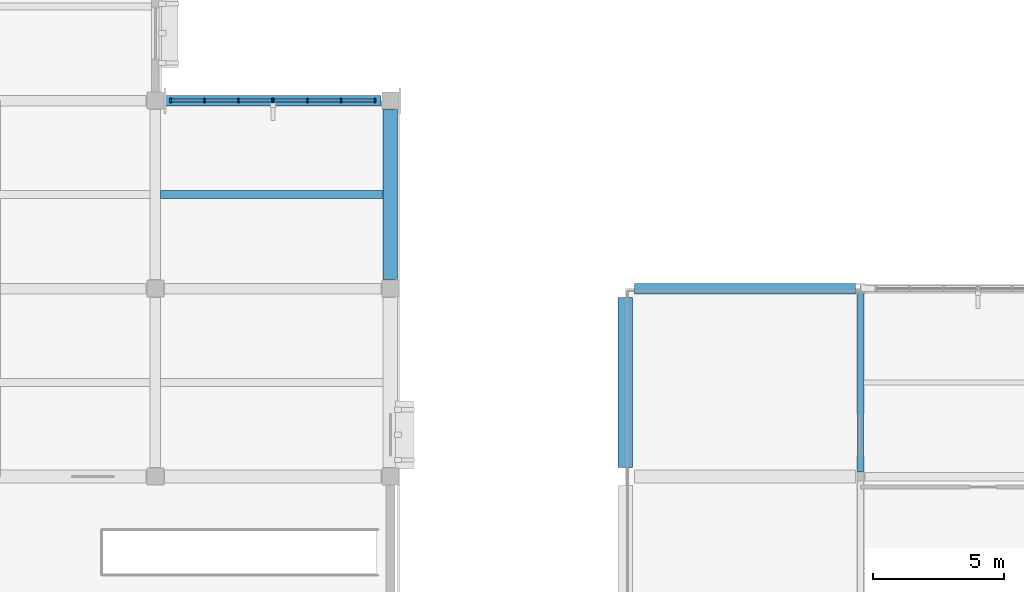
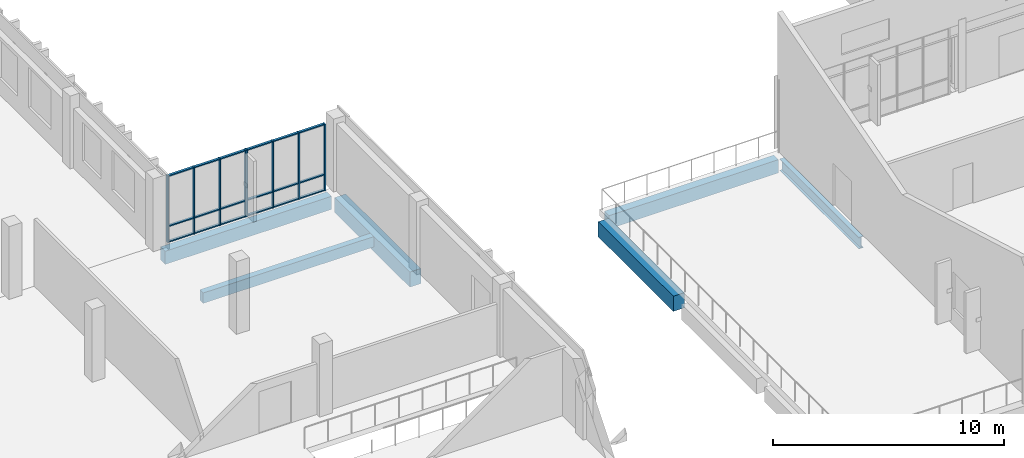
# One storey, part 15 of 85: 26 members, 6 beams, 2 elements without a shape of their own.
"""IFC4 building model written with IfcOpenShell, lengths in metres."""

from ifc_helpers import new_model, si_unit, direction, frame, origin, origin_2d, place, context, subcontext, project, spatial, rectangle, i_section, extrude, material, material_profile, profile_set, type_object, element, aggregate, save


model = new_model("IFC4")

# Units and contexts
model_context = context("Model", 3, precision=1e-05, world=origin(), true_north=direction((0.0, 1.0)))
body_context = subcontext(model_context, "Body", "Model", "MODEL_VIEW")
ifc_project = project(units=[si_unit("LENGTHUNIT", "METRE"), si_unit("AREAUNIT", "SQUARE_METRE"), si_unit("VOLUMEUNIT", "CUBIC_METRE"), si_unit("PLANEANGLEUNIT", "RADIAN"), si_unit("MASSUNIT", "GRAM", prefix="KILO")], contexts=[model_context])

# Site, building, storey
site_placement = place(None, origin())
site = spatial("IfcSite", under=ifc_project, at=site_placement, CompositionType="ELEMENT")
building_placement = place(site_placement, origin())
building = spatial("IfcBuilding", under=site, at=building_placement, Name="Vervanel Yard Central Library", CompositionType="ELEMENT")
storey_placement = place(building_placement, frame((0.0, 0.0, 5.10009765625)))
storey = spatial("IfcBuildingStorey", under=building, at=storey_placement, Name="L01", CompositionType="ELEMENT", Elevation=5.10009765625)

# Curtain wall, members
ifc_material_1 = material(Name="Thermally broken anodized aluminium 6063-T6", Category="aluminium")
curtain_wall_type = type_object("IfcCurtainWallType", Name="Boulevard Cafe & Bridge Curtain Wall", PredefinedType="NOTDEFINED", material=ifc_material_1)
curtain_wall_1_placement = place(storey_placement, origin())
curtain_wall_1 = element("IfcCurtainWall", 1, at=curtain_wall_1_placement, inside=storey, type_object=curtain_wall_type, Name="L01 Boulevard Cafe & Bridge Curtain Wall CWR-L01-197", PredefinedType="NOTDEFINED")
ifc_material_profile_1 = material_profile(ifc_material_1, rectangle(XDim=0.06005859375, YDim=0.159912109375, at=origin_2d()), Name="ALU 60x160", Category="aluminium")
ifc_profile_set_1 = profile_set([ifc_material_profile_1], Name="Thermally broken anodized aluminium 6063-T6")
member_type_1 = type_object("IfcMemberType", Name="Bridge & Courtyard Mullion 60x160", PredefinedType="MULLION", material=ifc_profile_set_1)
member_1_placement = place(storey_placement, frame((36.590087890625, 28.800048828125, 0.0), z_axis=(0.0, 0.0, 1.0), x_axis=(1.0, 0.0, 0.0)))
member_1 = element("IfcMember", 2, at=member_1_placement, type_object=member_type_1, Name="CWR-L01-197 Mullion 1", PredefinedType="MULLION", context=body_context, shape_type="SweptSolid", body=[
    extrude(rectangle(XDim=0.06005859375, YDim=0.159912109375, at=origin_2d()), origin(), (0.0, 0.0, 1.0), 3.52978515625),
])
member_2_placement = place(storey_placement, frame((37.88330078125, 28.800048828125, 0.0), z_axis=(0.0, 0.0, 1.0), x_axis=(1.0, 0.0, 0.0)))
member_2 = element("IfcMember", 3, at=member_2_placement, type_object=member_type_1, Name="CWR-L01-197 Mullion 2", PredefinedType="MULLION", context=body_context, shape_type="SweptSolid", body=[
    extrude(rectangle(XDim=0.06005859375, YDim=0.159912109375, at=origin_2d()), origin(), (0.0, 0.0, 1.0), 3.52978515625),
])
member_3_placement = place(storey_placement, frame((39.1767578125, 28.800048828125, 0.0), z_axis=(0.0, 0.0, 1.0), x_axis=(1.0, 0.0, 0.0)))
member_3 = element("IfcMember", 4, at=member_3_placement, type_object=member_type_1, Name="CWR-L01-197 Mullion 3", PredefinedType="MULLION", context=body_context, shape_type="SweptSolid", body=[
    extrude(rectangle(XDim=0.06005859375, YDim=0.159912109375, at=origin_2d()), origin(), (0.0, 0.0, 1.0), 3.52978515625),
])
member_4_placement = place(storey_placement, frame((40.469970703125, 28.800048828125, 0.0), z_axis=(0.0, 0.0, 1.0), x_axis=(1.0, 0.0, 0.0)))
member_4 = element("IfcMember", 5, at=member_4_placement, type_object=member_type_1, Name="CWR-L01-197 Mullion 4", PredefinedType="MULLION", context=body_context, shape_type="SweptSolid", body=[
    extrude(rectangle(XDim=0.06005859375, YDim=0.159912109375, at=origin_2d()), origin(), (0.0, 0.0, 1.0), 3.52978515625),
])

curtain_wall_2_placement = place(storey_placement, origin())
curtain_wall_2 = element("IfcCurtainWall", 6, at=curtain_wall_2_placement, inside=storey, type_object=curtain_wall_type, Name="L01 Boulevard Cafe & Bridge Curtain Wall CWR-L01-198", PredefinedType="NOTDEFINED")
member_5_placement = place(storey_placement, frame((40.530029296875, 28.800048828125, 0.0), z_axis=(0.0, 0.0, 1.0), x_axis=(1.0, 0.0, 0.0)))
member_5 = element("IfcMember", 7, at=member_5_placement, type_object=member_type_1, Name="CWR-L01-198 Mullion 1", PredefinedType="MULLION", context=body_context, shape_type="SweptSolid", body=[
    extrude(rectangle(XDim=0.06005859375, YDim=0.159912109375, at=origin_2d()), origin(), (0.0, 0.0, 1.0), 3.52978515625),
])
member_6_placement = place(storey_placement, frame((41.8232421875, 28.800048828125, 0.0), z_axis=(0.0, 0.0, 1.0), x_axis=(1.0, 0.0, 0.0)))
member_6 = element("IfcMember", 8, at=member_6_placement, type_object=member_type_1, Name="CWR-L01-198 Mullion 2", PredefinedType="MULLION", context=body_context, shape_type="SweptSolid", body=[
    extrude(rectangle(XDim=0.06005859375, YDim=0.159912109375, at=origin_2d()), origin(), (0.0, 0.0, 1.0), 3.52978515625),
])
member_7_placement = place(storey_placement, frame((43.11669921875, 28.800048828125, 0.0), z_axis=(0.0, 0.0, 1.0), x_axis=(1.0, 0.0, 0.0)))
member_7 = element("IfcMember", 9, at=member_7_placement, type_object=member_type_1, Name="CWR-L01-198 Mullion 3", PredefinedType="MULLION", context=body_context, shape_type="SweptSolid", body=[
    extrude(rectangle(XDim=0.06005859375, YDim=0.159912109375, at=origin_2d()), origin(), (0.0, 0.0, 1.0), 3.52978515625),
])
member_8_placement = place(storey_placement, frame((44.409912109375, 28.800048828125, 0.0), z_axis=(0.0, 0.0, 1.0), x_axis=(1.0, 0.0, 0.0)))
member_8 = element("IfcMember", 10, at=member_8_placement, type_object=member_type_1, Name="CWR-L01-198 Mullion 4", PredefinedType="MULLION", context=body_context, shape_type="SweptSolid", body=[
    extrude(rectangle(XDim=0.06005859375, YDim=0.159912109375, at=origin_2d()), origin(), (0.0, 0.0, 1.0), 3.52978515625),
])

# Member
ifc_material_profile_2 = material_profile(ifc_material_1, rectangle(XDim=0.06005859375, YDim=0.1201171875, at=origin_2d()), Name="ALU 60x120", Category="aluminium")
ifc_profile_set_2 = profile_set([ifc_material_profile_2], Name="Thermally broken anodized aluminium 6063-T6")
member_type_2 = type_object("IfcMemberType", Name="Bridge & Courtyard Transom 60x120", PredefinedType="NOTDEFINED", material=ifc_profile_set_2)
member_9_placement = place(storey_placement, frame((36.6201171875, 28.800048828125, 0.02978515625), z_axis=(1.0, 0.0, 0.0), x_axis=(0.0, 0.0, 1.0)))
member_9 = element("IfcMember", 11, at=member_9_placement, type_object=member_type_2, Name="CWR-L01-197 Transom B1-T1", ObjectType="TRANSOM", PredefinedType="USERDEFINED", context=body_context, shape_type="SweptSolid", body=[
    extrude(rectangle(XDim=0.06005859375, YDim=0.1201171875, at=origin_2d()), origin(), (0.0, 0.0, 1.0), 1.233154296875),
])

member_10_placement = place(storey_placement, frame((36.6201171875, 28.800048828125, 0.849853515625), z_axis=(1.0, 0.0, 0.0), x_axis=(0.0, 0.0, 1.0)))
member_10 = element("IfcMember", 12, at=member_10_placement, type_object=member_type_2, Name="CWR-L01-197 Transom B1-T2", ObjectType="TRANSOM", PredefinedType="USERDEFINED", context=body_context, shape_type="SweptSolid", body=[
    extrude(rectangle(XDim=0.06005859375, YDim=0.1201171875, at=origin_2d()), origin(), (0.0, 0.0, 1.0), 1.233154296875),
])

member_11_placement = place(storey_placement, frame((36.6201171875, 28.800048828125, 3.5), z_axis=(1.0, 0.0, 0.0), x_axis=(0.0, 0.0, 1.0)))
member_11 = element("IfcMember", 13, at=member_11_placement, type_object=member_type_2, Name="CWR-L01-197 Transom B1-T3", ObjectType="TRANSOM", PredefinedType="USERDEFINED", context=body_context, shape_type="SweptSolid", body=[
    extrude(rectangle(XDim=0.06005859375, YDim=0.1201171875, at=origin_2d()), origin(), (0.0, 0.0, 1.0), 1.233154296875),
])

member_12_placement = place(storey_placement, frame((37.913330078125, 28.800048828125, 0.02978515625), z_axis=(1.0, 0.0, 0.0), x_axis=(0.0, 0.0, 1.0)))
member_12 = element("IfcMember", 14, at=member_12_placement, type_object=member_type_2, Name="CWR-L01-197 Transom B2-T1", ObjectType="TRANSOM", PredefinedType="USERDEFINED", context=body_context, shape_type="SweptSolid", body=[
    extrude(rectangle(XDim=0.06005859375, YDim=0.1201171875, at=origin_2d()), origin(), (0.0, 0.0, 1.0), 1.2333984375),
])

member_13_placement = place(storey_placement, frame((37.913330078125, 28.800048828125, 0.849853515625), z_axis=(1.0, 0.0, 0.0), x_axis=(0.0, 0.0, 1.0)))
member_13 = element("IfcMember", 15, at=member_13_placement, type_object=member_type_2, Name="CWR-L01-197 Transom B2-T2", ObjectType="TRANSOM", PredefinedType="USERDEFINED", context=body_context, shape_type="SweptSolid", body=[
    extrude(rectangle(XDim=0.06005859375, YDim=0.1201171875, at=origin_2d()), origin(), (0.0, 0.0, 1.0), 1.2333984375),
])

member_14_placement = place(storey_placement, frame((37.913330078125, 28.800048828125, 3.5), z_axis=(1.0, 0.0, 0.0), x_axis=(0.0, 0.0, 1.0)))
member_14 = element("IfcMember", 16, at=member_14_placement, type_object=member_type_2, Name="CWR-L01-197 Transom B2-T3", ObjectType="TRANSOM", PredefinedType="USERDEFINED", context=body_context, shape_type="SweptSolid", body=[
    extrude(rectangle(XDim=0.06005859375, YDim=0.1201171875, at=origin_2d()), origin(), (0.0, 0.0, 1.0), 1.2333984375),
])

member_15_placement = place(storey_placement, frame((39.206787109375, 28.800048828125, 0.02978515625), z_axis=(1.0, 0.0, 0.0), x_axis=(0.0, 0.0, 1.0)))
member_15 = element("IfcMember", 17, at=member_15_placement, type_object=member_type_2, Name="CWR-L01-197 Transom B3-T1", ObjectType="TRANSOM", PredefinedType="USERDEFINED", context=body_context, shape_type="SweptSolid", body=[
    extrude(rectangle(XDim=0.06005859375, YDim=0.1201171875, at=origin_2d()), origin(), (0.0, 0.0, 1.0), 1.233154296875),
])

member_16_placement = place(storey_placement, frame((39.206787109375, 28.800048828125, 0.849853515625), z_axis=(1.0, 0.0, 0.0), x_axis=(0.0, 0.0, 1.0)))
member_16 = element("IfcMember", 18, at=member_16_placement, type_object=member_type_2, Name="CWR-L01-197 Transom B3-T2", ObjectType="TRANSOM", PredefinedType="USERDEFINED", context=body_context, shape_type="SweptSolid", body=[
    extrude(rectangle(XDim=0.06005859375, YDim=0.1201171875, at=origin_2d()), origin(), (0.0, 0.0, 1.0), 1.233154296875),
])

member_17_placement = place(storey_placement, frame((39.206787109375, 28.800048828125, 3.5), z_axis=(1.0, 0.0, 0.0), x_axis=(0.0, 0.0, 1.0)))
member_17 = element("IfcMember", 19, at=member_17_placement, type_object=member_type_2, Name="CWR-L01-197 Transom B3-T3", ObjectType="TRANSOM", PredefinedType="USERDEFINED", context=body_context, shape_type="SweptSolid", body=[
    extrude(rectangle(XDim=0.06005859375, YDim=0.1201171875, at=origin_2d()), origin(), (0.0, 0.0, 1.0), 1.233154296875),
])

aggregate(curtain_wall_1, [member_1, member_2, member_3, member_4, member_9, member_10, member_11, member_12, member_13, member_14, member_15, member_16, member_17])

member_18_placement = place(storey_placement, frame((40.56005859375, 28.800048828125, 0.02978515625), z_axis=(1.0, 0.0, 0.0), x_axis=(0.0, 0.0, 1.0)))
member_18 = element("IfcMember", 20, at=member_18_placement, type_object=member_type_2, Name="CWR-L01-198 Transom B1-T1", ObjectType="TRANSOM", PredefinedType="USERDEFINED", context=body_context, shape_type="SweptSolid", body=[
    extrude(rectangle(XDim=0.06005859375, YDim=0.1201171875, at=origin_2d()), origin(), (0.0, 0.0, 1.0), 1.233154296875),
])

member_19_placement = place(storey_placement, frame((40.56005859375, 28.800048828125, 0.849853515625), z_axis=(1.0, 0.0, 0.0), x_axis=(0.0, 0.0, 1.0)))
member_19 = element("IfcMember", 21, at=member_19_placement, type_object=member_type_2, Name="CWR-L01-198 Transom B1-T2", ObjectType="TRANSOM", PredefinedType="USERDEFINED", context=body_context, shape_type="SweptSolid", body=[
    extrude(rectangle(XDim=0.06005859375, YDim=0.1201171875, at=origin_2d()), origin(), (0.0, 0.0, 1.0), 1.233154296875),
])

member_20_placement = place(storey_placement, frame((40.56005859375, 28.800048828125, 3.5), z_axis=(1.0, 0.0, 0.0), x_axis=(0.0, 0.0, 1.0)))
member_20 = element("IfcMember", 22, at=member_20_placement, type_object=member_type_2, Name="CWR-L01-198 Transom B1-T3", ObjectType="TRANSOM", PredefinedType="USERDEFINED", context=body_context, shape_type="SweptSolid", body=[
    extrude(rectangle(XDim=0.06005859375, YDim=0.1201171875, at=origin_2d()), origin(), (0.0, 0.0, 1.0), 1.233154296875),
])

member_21_placement = place(storey_placement, frame((41.853271484375, 28.800048828125, 0.02978515625), z_axis=(1.0, 0.0, 0.0), x_axis=(0.0, 0.0, 1.0)))
member_21 = element("IfcMember", 23, at=member_21_placement, type_object=member_type_2, Name="CWR-L01-198 Transom B2-T1", ObjectType="TRANSOM", PredefinedType="USERDEFINED", context=body_context, shape_type="SweptSolid", body=[
    extrude(rectangle(XDim=0.06005859375, YDim=0.1201171875, at=origin_2d()), origin(), (0.0, 0.0, 1.0), 1.2333984375),
])

member_22_placement = place(storey_placement, frame((41.853271484375, 28.800048828125, 0.849853515625), z_axis=(1.0, 0.0, 0.0), x_axis=(0.0, 0.0, 1.0)))
member_22 = element("IfcMember", 24, at=member_22_placement, type_object=member_type_2, Name="CWR-L01-198 Transom B2-T2", ObjectType="TRANSOM", PredefinedType="USERDEFINED", context=body_context, shape_type="SweptSolid", body=[
    extrude(rectangle(XDim=0.06005859375, YDim=0.1201171875, at=origin_2d()), origin(), (0.0, 0.0, 1.0), 1.2333984375),
])

member_23_placement = place(storey_placement, frame((41.853271484375, 28.800048828125, 3.5), z_axis=(1.0, 0.0, 0.0), x_axis=(0.0, 0.0, 1.0)))
member_23 = element("IfcMember", 25, at=member_23_placement, type_object=member_type_2, Name="CWR-L01-198 Transom B2-T3", ObjectType="TRANSOM", PredefinedType="USERDEFINED", context=body_context, shape_type="SweptSolid", body=[
    extrude(rectangle(XDim=0.06005859375, YDim=0.1201171875, at=origin_2d()), origin(), (0.0, 0.0, 1.0), 1.2333984375),
])

member_24_placement = place(storey_placement, frame((43.146728515625, 28.800048828125, 0.02978515625), z_axis=(1.0, 0.0, 0.0), x_axis=(0.0, 0.0, 1.0)))
member_24 = element("IfcMember", 26, at=member_24_placement, type_object=member_type_2, Name="CWR-L01-198 Transom B3-T1", ObjectType="TRANSOM", PredefinedType="USERDEFINED", context=body_context, shape_type="SweptSolid", body=[
    extrude(rectangle(XDim=0.06005859375, YDim=0.1201171875, at=origin_2d()), origin(), (0.0, 0.0, 1.0), 1.233154296875),
])

member_25_placement = place(storey_placement, frame((43.146728515625, 28.800048828125, 0.849853515625), z_axis=(1.0, 0.0, 0.0), x_axis=(0.0, 0.0, 1.0)))
member_25 = element("IfcMember", 27, at=member_25_placement, type_object=member_type_2, Name="CWR-L01-198 Transom B3-T2", ObjectType="TRANSOM", PredefinedType="USERDEFINED", context=body_context, shape_type="SweptSolid", body=[
    extrude(rectangle(XDim=0.06005859375, YDim=0.1201171875, at=origin_2d()), origin(), (0.0, 0.0, 1.0), 1.233154296875),
])

member_26_placement = place(storey_placement, frame((43.146728515625, 28.800048828125, 3.5), z_axis=(1.0, 0.0, 0.0), x_axis=(0.0, 0.0, 1.0)))
member_26 = element("IfcMember", 28, at=member_26_placement, type_object=member_type_2, Name="CWR-L01-198 Transom B3-T3", ObjectType="TRANSOM", PredefinedType="USERDEFINED", context=body_context, shape_type="SweptSolid", body=[
    extrude(rectangle(XDim=0.06005859375, YDim=0.1201171875, at=origin_2d()), origin(), (0.0, 0.0, 1.0), 1.233154296875),
])

aggregate(curtain_wall_2, [member_5, member_6, member_7, member_8, member_18, member_19, member_20, member_21, member_22, member_23, member_24, member_25, member_26])

# Beams
ifc_material_2 = material(Name="Concrete C40/50", Category="concrete")
ifc_material_profile_3 = material_profile(ifc_material_2, rectangle(XDim=0.39990234375, YDim=0.699951171875, at=origin_2d()), Name="RC 400x700", Category="concrete")
ifc_profile_set_3 = profile_set([ifc_material_profile_3], Name="Concrete C40/50")
beam_type_1 = type_object("IfcBeamType", Name="Concrete Perimeter Spandrel 400x700", PredefinedType="SPANDREL", material=ifc_profile_set_3)
beam_1_placement = place(storey_placement, frame((54.35009765625, 21.60009765625, -0.695068359375), z_axis=(1.0, 0.0, 0.0), x_axis=(0.0, 1.0, 0.0)))
element("IfcBeam", 29, at=beam_1_placement, inside=storey, type_object=beam_type_1, Name="L01 Girder SP-01 Y=21.6 X=54.0-63.0", PredefinedType="SPANDREL", context=body_context, shape_type="SweptSolid", body=[
    extrude(rectangle(XDim=0.39990234375, YDim=0.699951171875, at=origin_2d()), origin(), (0.0, 0.0, 1.0), 8.4658203125),
])
beam_2_placement = place(storey_placement, frame((36.35009765625, 28.800048828125, -0.635009765625), z_axis=(1.0, 0.0, 0.0), x_axis=(0.0, 1.0, 0.0)))
element("IfcBeam", 30, at=beam_2_placement, inside=storey, type_object=beam_type_1, Name="L01 Girder SP-01 Y=28.8 X=36.0-45.0", PredefinedType="SPANDREL", context=body_context, shape_type="SweptSolid", body=[
    extrude(rectangle(XDim=0.39990234375, YDim=0.699951171875, at=origin_2d()), origin(), (0.0, 0.0, 1.0), 8.2998046875),
])
ifc_material_profile_4 = material_profile(ifc_material_2, rectangle(XDim=0.550048828125, YDim=0.800048828125, at=origin_2d()), Name="RC 550x800", Category="concrete")
ifc_profile_set_4 = profile_set([ifc_material_profile_4], Name="Concrete C40/50")
beam_type_2 = type_object("IfcBeamType", Name="Concrete Primary Girder 550x800", PredefinedType="BEAM", material=ifc_profile_set_4)
for number, where, z_axis, x_axis, name in (
    (31, (45.0, 21.949951171875, -0.68505859375), (0.0, 1.0, 0.0), (-1.0, 0.0, 0.0), "L01 Girder CB-02 X=45.0 Y=21.6-28.8"),
    (32, (54.0, 14.75, -0.7451171875), (0.0, 1.0, 0.0), (-1.0, 0.0, 0.0), "L01 Girder CB-02 X=54.0 Y=14.4-21.6"),
):
    element("IfcBeam", number, at=place(storey_placement, frame(where, z_axis=z_axis, x_axis=x_axis)), inside=storey, type_object=beam_type_2, Name=name, PredefinedType="BEAM", context=body_context, shape_type="SweptSolid", body=[
        extrude(rectangle(XDim=0.550048828125, YDim=0.800048828125, at=origin_2d()), origin(), (0.0, 0.0, 1.0), 6.5),
    ])
ifc_material_profile_5 = material_profile(ifc_material_2, rectangle(XDim=0.300048828125, YDim=0.550048828125, at=origin_2d()), Name="RC 300x550", Category="concrete")
ifc_profile_set_5 = profile_set([ifc_material_profile_5], Name="Concrete C40/50")
beam_type_3 = type_object("IfcBeamType", Name="Concrete Secondary Joist 300x550", PredefinedType="JOIST", material=ifc_profile_set_5)
beam_3_placement = place(storey_placement, frame((36.199951171875, 25.199951171875, -0.56005859375), z_axis=(1.0, 0.0, 0.0), x_axis=(0.0, 1.0, 0.0)))
element("IfcBeam", 33, at=beam_3_placement, inside=storey, type_object=beam_type_3, Name="L01 Floor Joist CJ-02 Y=25.20 X=36.0-45.0", PredefinedType="JOIST", context=body_context, shape_type="SweptSolid", body=[
    extrude(rectangle(XDim=0.300048828125, YDim=0.550048828125, at=origin_2d()), origin(), (0.0, 0.0, 1.0), 8.525146484375),
])
ifc_material_3 = material(Name="Steel ASTM A992 Grade 50", Category="steel")
ifc_material_profile_6 = material_profile(ifc_material_3, i_section(OverallWidth=0.22900390625, OverallDepth=0.612060546875, WebThickness=0.011962890625, FlangeThickness=0.01953125, at=origin_2d()), Name="W24X84", Category="steel")
ifc_profile_set_6 = profile_set([ifc_material_profile_6], Name="Steel ASTM A992 Grade 50")
beam_type_4 = type_object("IfcBeamType", Name="Steel Primary Girder W24X84", PredefinedType="BEAM", material=ifc_profile_set_6)
beam_4_placement = place(storey_placement, frame((63.0, 14.577880859375, -0.651123046875), z_axis=(0.0, 1.0, 0.0), x_axis=(-1.0, 0.0, 0.0)))
element("IfcBeam", 34, at=beam_4_placement, inside=storey, type_object=beam_type_4, Name="L01 Girder SB-01 X=63.0 Y=14.4-21.6", PredefinedType="BEAM", context=body_context, shape_type="SweptSolid", body=[
    extrude(i_section(OverallWidth=0.22900390625, OverallDepth=0.612060546875, WebThickness=0.011962890625, FlangeThickness=0.01953125, at=origin_2d()), origin(), (0.0, 0.0, 1.0), 6.84423828125),
])

save(model, "model.ifc")
